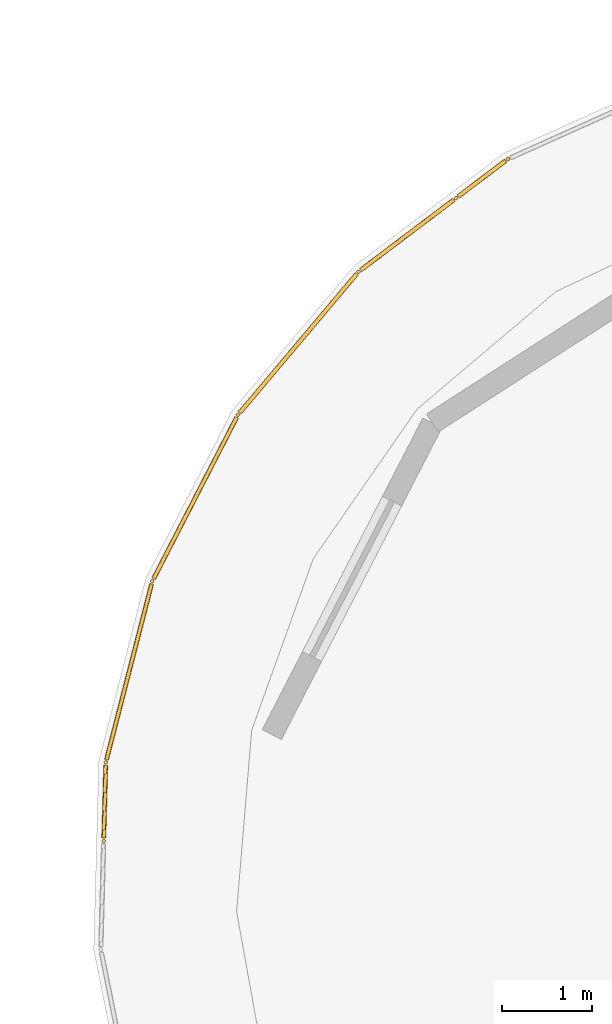
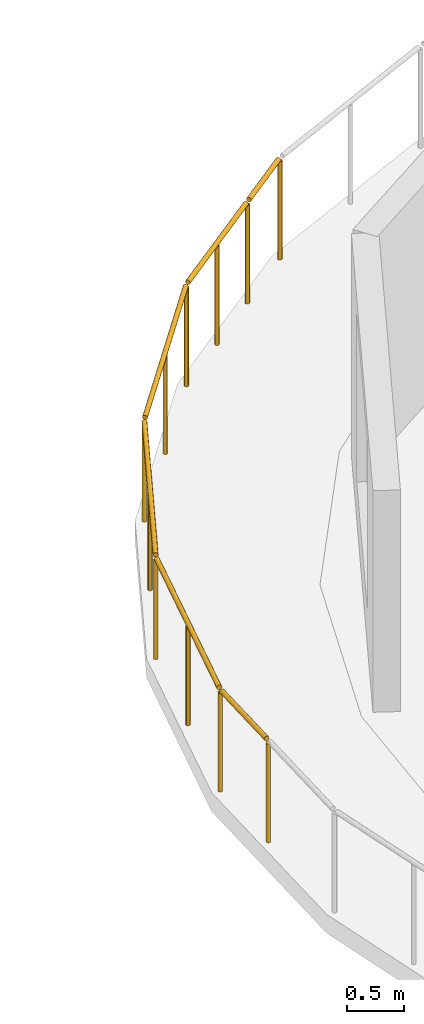
# One storey, part 65 of 78: 2 railings.
"""IFC4 building model written with IfcOpenShell, lengths in metres."""

from ifc_helpers import new_model, si_unit, direction, frame, origin, origin_2d, place, context, subcontext, project, spatial, circle, extrude, material, type_object, element, save


model = new_model("IFC4")

# Units and contexts
model_context = context("Model", 3, precision=1e-05, world=origin(), true_north=direction((0.0, 1.0)))
body_context = subcontext(model_context, "Body", "Model", "MODEL_VIEW")
ifc_project = project(units=[si_unit("LENGTHUNIT", "METRE"), si_unit("AREAUNIT", "SQUARE_METRE"), si_unit("VOLUMEUNIT", "CUBIC_METRE"), si_unit("PLANEANGLEUNIT", "RADIAN"), si_unit("MASSUNIT", "GRAM", prefix="KILO")], contexts=[model_context])

# Site, building, storey
site_placement = place(None, origin())
site = spatial("IfcSite", under=ifc_project, at=site_placement, CompositionType="ELEMENT")
building_placement = place(site_placement, origin())
building = spatial("IfcBuilding", under=site, at=building_placement, Name="Tanwirah Colonnade Gardens", CompositionType="ELEMENT")
storey_placement = place(building_placement, frame((0.0, 0.0, 22.280029296875)))
storey = spatial("IfcBuildingStorey", under=building, at=storey_placement, Name="L06", CompositionType="ELEMENT", Elevation=22.280029296875)

# Railings
ifc_material = material(Name="Precast concrete C40/50", Category="concrete")
railing_type = type_object("IfcRailingType", Name="BAL-EXT110", PredefinedType="BALUSTRADE", material=ifc_material)
railing_1_placement = place(storey_placement, frame((127.599853515625, 15.390380859375, 0.0)))
element("IfcRailing", 1, at=railing_1_placement, inside=storey, type_object=railing_type, Name="Block D L06 Balcony Ribbon Balustrade 18", PredefinedType="BALUSTRADE", context=body_context, shape_type="SweptSolid", body=[
    extrude(circle(Radius=0.02392578125, at=origin_2d()), frame((0.000732421875, 0.03125, 1.076171875), z_axis=(0.026738834085, 0.999642453456, 0.0), x_axis=(-0.999642453456, 0.026738834085, 0.0)), (0.0, 0.0, 1.0), 0.81396484375),
    extrude(circle(Radius=0.02392578125, at=origin_2d()), frame((0.03125, 0.906494140625, 1.076171875), z_axis=(0.248586431299, 0.968609718191, 0.0), x_axis=(-0.968609718191, 0.248586431299, 0.0)), (0.0, 0.0, 1.0), 2.0244140625),
    extrude(circle(Radius=0.02392578125, at=origin_2d()), frame((0.556640625, 2.925537109375, 1.076171875), z_axis=(0.45789775422, 0.889004863137, 0.0), x_axis=(-0.889004863137, 0.45789775422, 0.0)), (0.0, 0.0, 1.0), 2.0244140625),
    extrude(circle(Radius=0.02392578125, at=origin_2d()), frame((1.517822265625, 4.77685546875, 1.076171875), z_axis=(0.644225801223, 0.764835352895, 0.0), x_axis=(-0.764835352895, 0.644225801223, 0.0)), (0.0, 0.0, 1.0), 2.0244140625),
    extrude(circle(Radius=0.02392578125, at=origin_2d()), frame((2.8671875, 6.367919921875, 1.076171875), z_axis=(0.798211906942, 0.60237675222, 0.0), x_axis=(-0.60237675222, 0.798211906942, 0.0)), (0.0, 0.0, 1.0), 1.300048828125),
    extrude(circle(Radius=0.02099609375, at=origin_2d()), origin(), (0.0, 0.0, 1.0), 1.049072265625),
    extrude(circle(Radius=0.02099609375, at=origin_2d()), frame((0.0234375, 0.876220703125, 0.0)), (0.0, 0.0, 1.0), 1.049072265625),
    extrude(circle(Radius=0.02099609375, at=origin_2d()), frame((0.28271484375, 1.886962890625, 0.0)), (0.0, 0.0, 1.0), 1.049072265625),
    extrude(circle(Radius=0.02099609375, at=origin_2d()), frame((0.542236328125, 2.897705078125, 0.0)), (0.0, 0.0, 1.0), 1.049072265625),
    extrude(circle(Radius=0.02099609375, at=origin_2d()), frame((1.02001953125, 3.8251953125, 0.0)), (0.0, 0.0, 1.0), 1.049072265625),
    extrude(circle(Radius=0.02099609375, at=origin_2d()), frame((1.497802734375, 4.7529296875, 0.0)), (0.0, 0.0, 1.0), 1.049072265625),
    extrude(circle(Radius=0.02099609375, at=origin_2d()), frame((2.169921875, 5.551025390625, 0.0)), (0.0, 0.0, 1.0), 1.049072265625),
    extrude(circle(Radius=0.02099609375, at=origin_2d()), frame((2.84228515625, 6.34912109375, 0.0)), (0.0, 0.0, 1.0), 1.049072265625),
    extrude(circle(Radius=0.02099609375, at=origin_2d()), frame((3.38623046875, 6.759521484375, 0.0)), (0.0, 0.0, 1.0), 1.049072265625),
    extrude(circle(Radius=0.02099609375, at=origin_2d()), frame((3.929931640625, 7.169921875, 0.0)), (0.0, 0.0, 1.0), 1.049072265625),
])
railing_2_placement = place(storey_placement, frame((131.52978515625, 22.560302734375, 0.0)))
element("IfcRailing", 2, at=railing_2_placement, inside=storey, type_object=railing_type, Name="Block D L06 Balcony Ribbon Balustrade 19", PredefinedType="BALUSTRADE", context=body_context, shape_type="SweptSolid", body=[
    extrude(circle(Radius=0.02392578125, at=origin_2d()), frame((0.02490234375, 0.018798828125, 1.076171875), z_axis=(0.798216672863, 0.602370436827, 0.0), x_axis=(-0.602370436827, 0.798216672863, 0.0)), (0.0, 0.0, 1.0), 0.661865234375),
    extrude(circle(Radius=0.02099609375, at=origin_2d()), origin(), (0.0, 0.0, 1.0), 1.049072265625),
    extrude(circle(Radius=0.02099609375, at=origin_2d()), frame((0.578125, 0.436279296875, 0.0)), (0.0, 0.0, 1.0), 1.049072265625),
])

save(model, "model.ifc")
